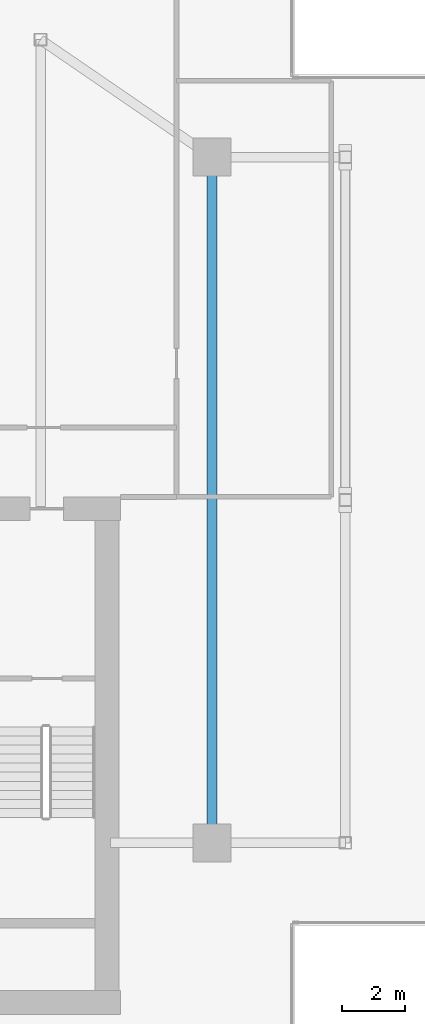
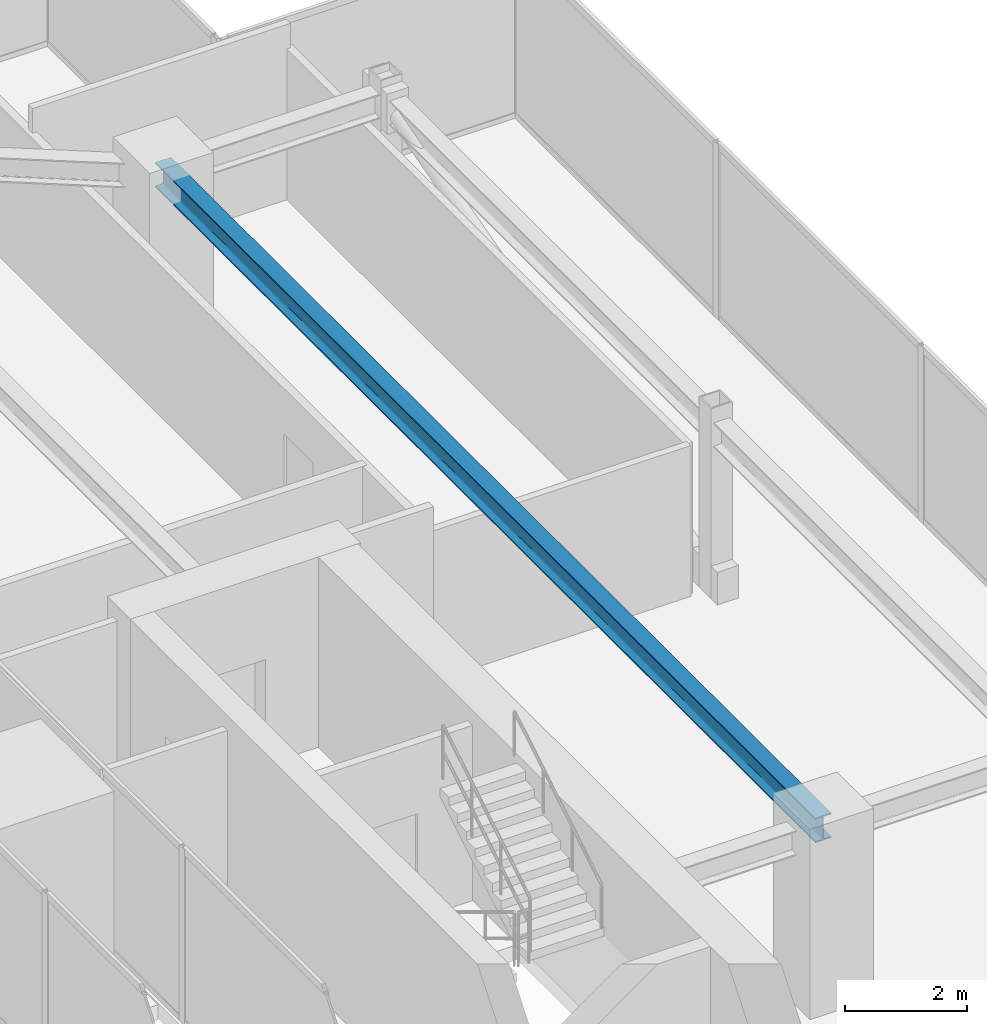
# One storey, part 13 of 25: 1 beam.
"""IFC4 building model written with IfcOpenShell, lengths in metres."""

from ifc_helpers import new_model, si_unit, direction, frame, origin, origin_2d, place, context, subcontext, project, spatial, i_section, extrude, source, transform, mapped, material, material_profile, profile_set, type_object, type_shapes, element, save


model = new_model("IFC4")

# Units and contexts
model_context = context("Model", 3, precision=1e-05, world=origin(), true_north=direction((0.0, 1.0)))
body_context = subcontext(model_context, "Body", "Model", "MODEL_VIEW")
ifc_project = project(units=[si_unit("LENGTHUNIT", "METRE"), si_unit("AREAUNIT", "SQUARE_METRE"), si_unit("VOLUMEUNIT", "CUBIC_METRE"), si_unit("PLANEANGLEUNIT", "RADIAN"), si_unit("MASSUNIT", "GRAM", prefix="KILO")], contexts=[model_context])

# Site, building, storey
site_placement = place(None, origin())
site = spatial("IfcSite", under=ifc_project, at=site_placement, CompositionType="ELEMENT")
building_placement = place(site_placement, origin())
building = spatial("IfcBuilding", under=site, at=building_placement, Name="Krantzveldt Concourse Tower", CompositionType="ELEMENT")
storey_placement = place(building_placement, frame((0.0, 0.0, 367.050048828125)))
storey = spatial("IfcBuildingStorey", under=building, at=storey_placement, Name="L90", CompositionType="ELEMENT", Elevation=367.050048828125)

# Beam
ifc_material = material(Name="Steel S355JR", Category="steel")
ifc_material_profile = material_profile(ifc_material, i_section(OverallWidth=0.300048828125, OverallDepth=0.489990234375, WebThickness=0.011962890625, FlangeThickness=0.02294921875, FilletRadius=0.027099609375, at=origin_2d()), Name="Steel S355JR", Category="steel")
ifc_profile_set = profile_set([ifc_material_profile], Name="Steel S355JR - HEA 500")
beam_type = type_object("IfcBeamType", Name="BM-B-HEA500", PredefinedType="BEAM", material=ifc_profile_set)
shared_shape = source(origin(), body_context, "Body", "SweptSolid", [
    extrude(i_section(OverallWidth=0.300048828125, OverallDepth=0.489990234375, WebThickness=0.011962890625, FlangeThickness=0.02294921875, FilletRadius=0.027099609375, at=origin_2d()), origin(), (0.0, 0.0, 1.0), 21.60009765625),
])
type_shapes(beam_type, [shared_shape])
beam_placement = place(storey_placement, frame((46.800048828125, 15.89990234375, 3.2548828125), z_axis=(0.0, 1.0, 0.0), x_axis=(-1.0, 0.0, 0.0)))
element("IfcBeam", 1, at=beam_placement, inside=storey, type_object=beam_type, Name="L90 Crown Girder EAST-8", PredefinedType="BEAM", context=body_context, shape_type="MappedRepresentation", body=[
    mapped(shared_shape, transform((0.0, 0.0, 0.0), x_axis=(1.0, 0.0, 0.0), y_axis=(0.0, 1.0, 0.0), z_axis=(0.0, 0.0, 1.0), scale=1.0)),
])

save(model, "model.ifc")
